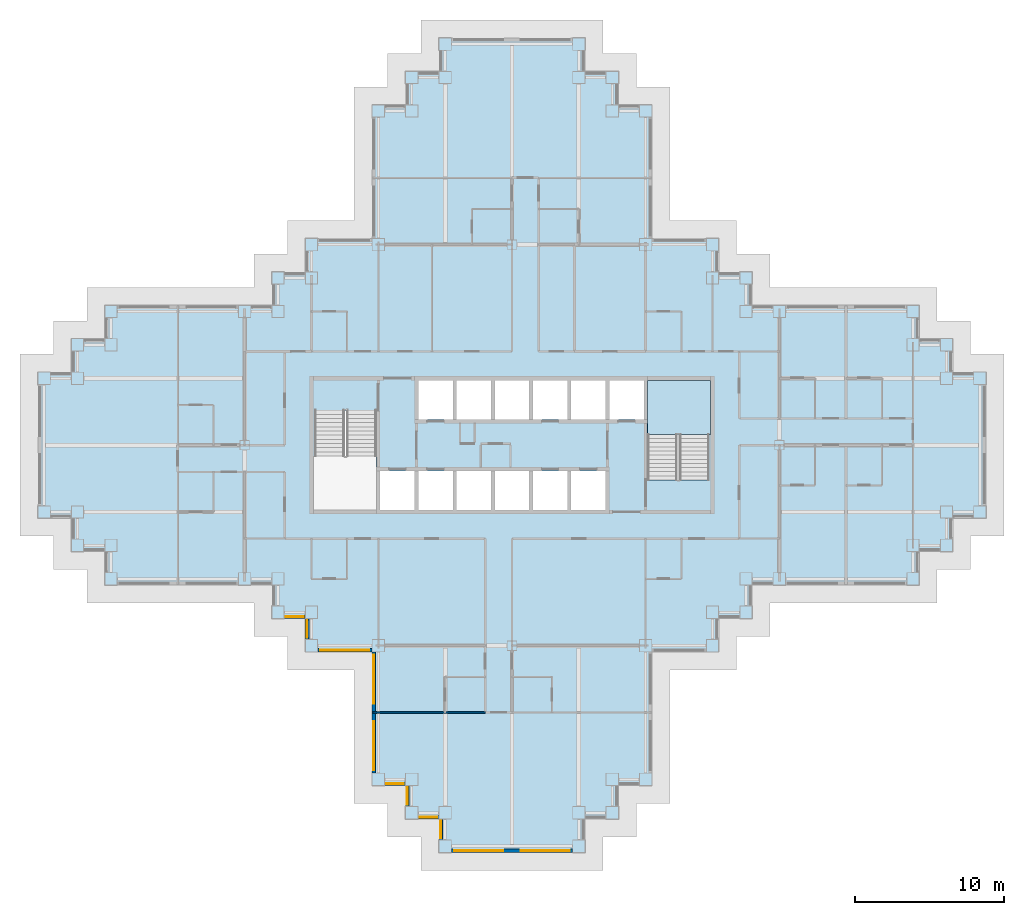
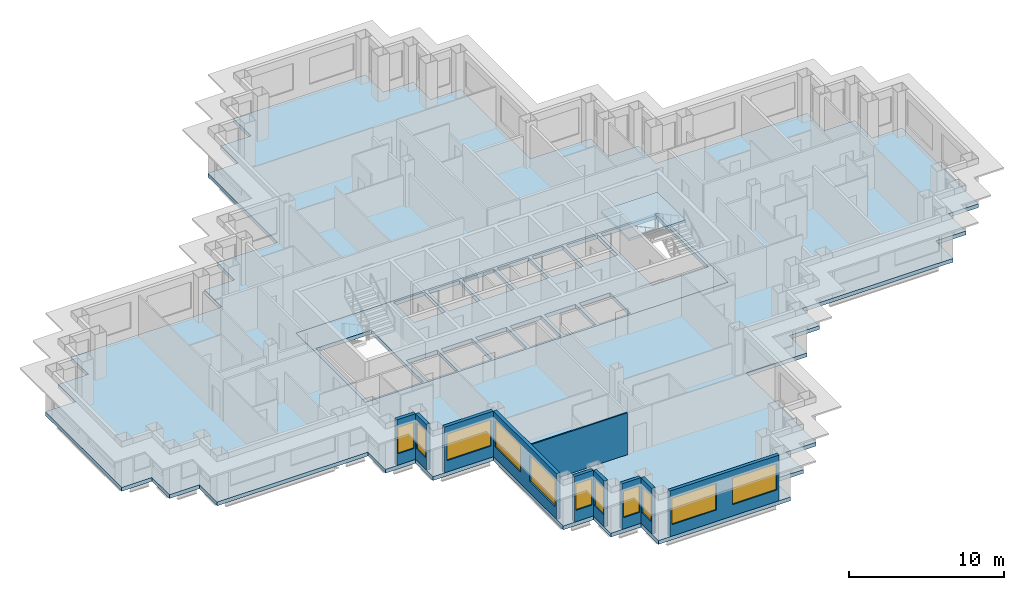
# One storey, part 3 of 15: 11 windows, 10 walls, 3 slabs, 11 openings, 1 element without a shape of its own.
"""IFC4 building model written with IfcOpenShell, lengths in metres."""

from ifc_helpers import new_model, si_unit, direction, frame, frame_2d, origin, place, context, subcontext, project, spatial, polyline, rectangle, outline, extrude, material, layer, layer_set, type_object, element, fill, aggregate, save


model = new_model("IFC4")

# Units and contexts
model_context = context("Model", 3, precision=1e-05, world=origin(), true_north=direction((0.0, 1.0)))
body_context = subcontext(model_context, "Body", "Model", "MODEL_VIEW")
ifc_project = project(units=[si_unit("LENGTHUNIT", "METRE"), si_unit("AREAUNIT", "SQUARE_METRE"), si_unit("VOLUMEUNIT", "CUBIC_METRE"), si_unit("PLANEANGLEUNIT", "RADIAN"), si_unit("MASSUNIT", "GRAM", prefix="KILO")], contexts=[model_context])

# Site, building, storey
site_placement = place(None, origin())
site = spatial("IfcSite", under=ifc_project, at=site_placement, CompositionType="ELEMENT")
building_placement = place(site_placement, origin())
building = spatial("IfcBuilding", under=site, at=building_placement, Name="Caravel Reach Hotel and Residences", CompositionType="ELEMENT")
storey_placement = place(building_placement, frame((0.0, 0.0, 122.39990234375)))
storey = spatial("IfcBuildingStorey", under=building, at=storey_placement, Name="L30", CompositionType="ELEMENT", Elevation=122.39990234375)

# Slab
ifc_material_1 = material(Name="Concrete C40", Category="concrete")
ifc_layer_1 = layer(ifc_material_1, 0.300048828125)
ifc_layer_set_1 = layer_set([ifc_layer_1], Name="Core floor slab 300 mm")
slab_type_1 = type_object("IfcSlabType", Name="Core floor slab 300 mm", PredefinedType="FLOOR", material=ifc_layer_set_1)
slab_1_placement = place(storey_placement, frame((0.0, 0.0, -0.2998046875)))
element("IfcSlab", 1, at=slab_1_placement, inside=storey, type_object=slab_type_1, Name="L30 core floor", PredefinedType="FLOOR", context=body_context, shape_type="SweptSolid", body=[
    extrude(outline(polyline([(18.0, 31.5), (45.0, 31.5), (45.0, 22.5), (18.0, 22.5), (18.0, 31.5)]), holes=[polyline([(22.625, 25.27490234375), (22.625, 22.64990234375), (24.9462890625, 22.64990234375), (24.9462890625, 25.27490234375), (22.625, 25.27490234375)]), polyline([(27.517822265625, 25.27490234375), (25.1962890625, 25.27490234375), (25.1962890625, 22.64990234375), (27.517822265625, 22.64990234375), (27.517822265625, 25.27490234375)]), polyline([(30.08935546875, 25.27490234375), (27.767822265625, 25.27490234375), (27.767822265625, 22.64990234375), (30.08935546875, 22.64990234375), (30.08935546875, 25.27490234375)]), polyline([(32.66064453125, 25.27490234375), (30.33935546875, 25.27490234375), (30.33935546875, 22.64990234375), (32.66064453125, 22.64990234375), (32.66064453125, 25.27490234375)]), polyline([(18.22509765625, 22.64990234375), (22.375, 22.64990234375), (22.375, 29.35009765625), (18.22509765625, 29.35009765625), (18.22509765625, 22.64990234375)]), polyline([(27.517822265625, 31.35009765625), (25.1962890625, 31.35009765625), (25.1962890625, 28.72509765625), (27.517822265625, 28.72509765625), (27.517822265625, 31.35009765625)]), polyline([(30.08935546875, 31.35009765625), (27.767822265625, 31.35009765625), (27.767822265625, 28.72509765625), (30.08935546875, 28.72509765625), (30.08935546875, 31.35009765625)]), polyline([(32.91064453125, 25.27490234375), (32.91064453125, 22.64990234375), (35.232177734375, 22.64990234375), (35.232177734375, 25.27490234375), (32.91064453125, 25.27490234375)]), polyline([(37.8037109375, 25.27490234375), (35.482177734375, 25.27490234375), (35.482177734375, 22.64990234375), (37.8037109375, 22.64990234375), (37.8037109375, 25.27490234375)]), polyline([(44.77490234375, 31.35009765625), (40.625, 31.35009765625), (40.625, 24.64990234375), (44.77490234375, 24.64990234375), (44.77490234375, 31.35009765625)]), polyline([(32.66064453125, 31.35009765625), (30.33935546875, 31.35009765625), (30.33935546875, 28.72509765625), (32.66064453125, 28.72509765625), (32.66064453125, 31.35009765625)]), polyline([(35.232177734375, 31.35009765625), (32.91064453125, 31.35009765625), (32.91064453125, 28.72509765625), (35.232177734375, 28.72509765625), (35.232177734375, 31.35009765625)]), polyline([(37.8037109375, 31.35009765625), (35.482177734375, 31.35009765625), (35.482177734375, 28.72509765625), (37.8037109375, 28.72509765625), (37.8037109375, 31.35009765625)]), polyline([(40.375, 31.35009765625), (38.0537109375, 31.35009765625), (38.0537109375, 28.72509765625), (40.375, 28.72509765625), (40.375, 31.35009765625)])]), origin(), (0.0, 0.0, 1.0), 0.2998046875),
])

# Stair, slab
ifc_material_2 = material(Name="Concrete C40", Category="concrete")
stair_type = type_object("IfcStairType", Name="Core stair", PredefinedType="HALF_TURN_STAIR", material=ifc_material_2)
stair_placement = place(storey_placement, origin())
stair = element("IfcStair", 2, at=stair_placement, inside=storey, type_object=stair_type, Name="L30 Exit stair B", PredefinedType="HALF_TURN_STAIR")
ifc_material_3 = material(Name="Concrete C40", Category="concrete")
ifc_layer_2 = layer(ifc_material_3, 0.199951171875)
ifc_layer_set_2 = layer_set([ifc_layer_2], Name="Core stair landing")
slab_type_2 = type_object("IfcSlabType", Name="Core stair landing", PredefinedType="LANDING", material=ifc_layer_set_2)
slab_2_placement = place(storey_placement, frame((0.0, 0.0, 1.60009765625)))
slab_2 = element("IfcSlab", 3, at=slab_2_placement, type_object=slab_type_2, Name="ST-B landing 1", PredefinedType="LANDING", context=body_context, shape_type="SweptSolid", body=[
    extrude(outline(polyline([(44.85009765625, 27.72998046875), (44.85009765625, 31.35009765625), (40.625, 31.35009765625), (40.625, 27.72998046875), (44.85009765625, 27.72998046875)])), origin(), (0.0, 0.0, 1.0), 0.199951171875),
])
aggregate(stair, [slab_2])

# Slab
ifc_material_4 = material(Name="Concrete C40 post-tensioned", Category="concrete")
ifc_layer_3 = layer(ifc_material_4, 0.300048828125)
ifc_layer_set_3 = layer_set([ifc_layer_3], Name="Floor slab 300")
slab_type_3 = type_object("IfcSlabType", Name="Floor slab 300", PredefinedType="FLOOR", material=ifc_layer_set_3)
slab_3_placement = place(storey_placement, frame((0.0, 0.0, -0.2998046875)))
element("IfcSlab", 4, at=slab_3_placement, inside=storey, type_object=slab_type_3, Name="S2 slab L30", PredefinedType="FLOOR", context=body_context, shape_type="SweptSolid", body=[
    extrude(outline(polyline([(17.574951171875, 13.074951171875), (17.574951171875, 15.324951171875), (15.324951171875, 15.324951171875), (15.324951171875, 17.574951171875), (4.074951171875, 17.574951171875), (4.074951171875, 19.824951171875), (1.824951171875, 19.824951171875), (1.824951171875, 22.074951171875), (-0.425048828125, 22.074951171875), (-0.425048828125, 31.925048828125), (1.824951171875, 31.925048828125), (1.824951171875, 34.175048828125), (4.074951171875, 34.175048828125), (4.074951171875, 36.425048828125), (15.324951171875, 36.425048828125), (15.324951171875, 38.675048828125), (17.574951171875, 38.675048828125), (17.574951171875, 40.925048828125), (22.074951171875, 40.925048828125), (22.074951171875, 49.925048828125), (24.324951171875, 49.925048828125), (24.324951171875, 52.175048828125), (26.574951171875, 52.175048828125), (26.574951171875, 54.425048828125), (36.425048828125, 54.425048828125), (36.425048828125, 52.175048828125), (38.675048828125, 52.175048828125), (38.675048828125, 49.925048828125), (40.925048828125, 49.925048828125), (40.925048828125, 40.925048828125), (45.425048828125, 40.925048828125), (45.425048828125, 38.675048828125), (47.675048828125, 38.675048828125), (47.675048828125, 36.425048828125), (58.925048828125, 36.425048828125), (58.925048828125, 34.175048828125), (61.175048828125, 34.175048828125), (61.175048828125, 31.925048828125), (63.425048828125, 31.925048828125), (63.425048828125, 22.074951171875), (61.175048828125, 22.074951171875), (61.175048828125, 19.824951171875), (58.925048828125, 19.824951171875), (58.925048828125, 17.574951171875), (47.675048828125, 17.574951171875), (47.675048828125, 15.324951171875), (45.425048828125, 15.324951171875), (45.425048828125, 13.074951171875), (40.925048828125, 13.074951171875), (40.925048828125, 4.074951171875), (38.675048828125, 4.074951171875), (38.675048828125, 1.824951171875), (36.425048828125, 1.824951171875), (36.425048828125, -0.425048828125), (26.574951171875, -0.425048828125), (26.574951171875, 1.824951171875), (24.324951171875, 1.824951171875), (24.324951171875, 4.074951171875), (22.074951171875, 4.074951171875), (22.074951171875, 13.074951171875), (17.574951171875, 13.074951171875)]), holes=[polyline([(45.0, 31.5), (18.0, 31.5), (18.0, 22.5), (45.0, 22.5), (45.0, 31.5)])]), origin(), (0.0, 0.0, 1.0), 0.2998046875),
])

# Wall, opening, window
ifc_material_5 = material(Name="Insulated rainscreen wall, aluminium cladding", Category="aluminium")
ifc_layer_4 = layer(ifc_material_5, 0.25)
ifc_layer_set_4 = layer_set([ifc_layer_4], Name="EW1 Tower rainscreen wall")
wall_type_1 = type_object("IfcWallType", Name="EW1 Tower rainscreen wall", PredefinedType="SOLIDWALL", material=ifc_layer_set_4)
wall_1_placement = place(storey_placement, frame((22.925048828125, 4.199951171875, 0.0), z_axis=(0.0, 0.0, 1.0), x_axis=(1.0, 0.0, 0.0)))
wall_1 = element("IfcWall", 5, at=wall_1_placement, inside=storey, type_object=wall_type_1, Name="External wall L30 S1.1", PredefinedType="SOLIDWALL", context=body_context, shape_type="SweptSolid", body=[
    extrude(rectangle(XDim=1.39990234375, YDim=0.25, at=frame_2d((0.699951171875, 0.0))), origin(), (0.0, 0.0, 1.0), 3.60009765625),
])
opening_1_placement = place(wall_1_placement, frame((0.10009765625, 0.0, 0.89990234375)))
opening_1 = element("IfcOpeningElement", 6, at=opening_1_placement, cuts=wall_1, Name="Opening WN9", PredefinedType="OPENING", context=body_context, shape_type="SweptSolid", body=[
    extrude(rectangle(XDim=1.199951171875, YDim=2.080078125, at=frame_2d((0.60009765625, 1.0400390625))), frame((0.0, 0.135009765625, 0.0), z_axis=(0.0, -1.0, 0.0), x_axis=(1.0, 0.0, 0.0)), (0.0, 0.0, 1.0), 0.27001953125),
])
ifc_material_6 = material(Name="Dark low-e glazing in black aluminium frame", Category="aluminium")
window_type_1 = type_object("IfcWindowType", Name="Hotel suite corner window 1200 x 2080", PartitioningType="SINGLE_PANEL", PredefinedType="WINDOW", material=ifc_material_6)
window_1_placement = place(opening_1_placement, origin())
window_1 = element("IfcWindow", 7, at=window_1_placement, inside=storey, type_object=window_type_1, Name="Window L30 S1.1.1", OverallHeight=2.080078125, OverallWidth=1.199951171875, PartitioningType="SINGLE_PANEL", PredefinedType="WINDOW", context=body_context, shape_type="SweptSolid", body=[
    extrude(rectangle(XDim=1.199951171875, YDim=2.080078125, at=frame_2d((0.60009765625, 1.0400390625))), frame((0.0, 0.030029296875, 0.0), z_axis=(0.0, -1.0, 0.0), x_axis=(1.0, 0.0, 0.0)), (0.0, 0.0, 1.0), 0.06005859375),
])
fill(opening_1, window_1)

wall_2_placement = place(storey_placement, frame((24.449951171875, 4.074951171875, 0.0), z_axis=(0.0, 0.0, 1.0), x_axis=(0.0, -1.0, 0.0)))
wall_2 = element("IfcWall", 8, at=wall_2_placement, inside=storey, type_object=wall_type_1, Name="External wall L30 W2.1", PredefinedType="SOLIDWALL", context=body_context, shape_type="SweptSolid", body=[
    extrude(rectangle(XDim=1.39990234375, YDim=0.25, at=frame_2d((0.699951171875, 0.0))), origin(), (0.0, 0.0, 1.0), 3.60009765625),
])
opening_2_placement = place(wall_2_placement, frame((0.10009765625, 0.0, 0.89990234375)))
opening_2 = element("IfcOpeningElement", 9, at=opening_2_placement, cuts=wall_2, Name="Opening WN9", PredefinedType="OPENING", context=body_context, shape_type="SweptSolid", body=[
    extrude(rectangle(XDim=1.199951171875, YDim=2.080078125, at=frame_2d((0.60009765625, 1.0400390625))), frame((0.0, 0.135009765625, 0.0), z_axis=(0.0, -1.0, 0.0), x_axis=(1.0, 0.0, 0.0)), (0.0, 0.0, 1.0), 0.27001953125),
])
window_2_placement = place(opening_2_placement, origin())
window_2 = element("IfcWindow", 10, at=window_2_placement, inside=storey, type_object=window_type_1, Name="Window L30 W2.1.1", OverallHeight=2.080078125, OverallWidth=1.199951171875, PartitioningType="SINGLE_PANEL", PredefinedType="WINDOW", context=body_context, shape_type="SweptSolid", body=[
    extrude(rectangle(XDim=1.199951171875, YDim=2.080078125, at=frame_2d((0.60009765625, 1.0400390625))), frame((0.0, 0.030029296875, 0.0), z_axis=(0.0, -1.0, 0.0), x_axis=(1.0, 0.0, 0.0)), (0.0, 0.0, 1.0), 0.06005859375),
])
fill(opening_2, window_2)

wall_3_placement = place(storey_placement, frame((25.175048828125, 1.949951171875, 0.0), z_axis=(0.0, 0.0, 1.0), x_axis=(1.0, 0.0, 0.0)))
wall_3 = element("IfcWall", 11, at=wall_3_placement, inside=storey, type_object=wall_type_1, Name="External wall L30 S3.1", PredefinedType="SOLIDWALL", context=body_context, shape_type="SweptSolid", body=[
    extrude(rectangle(XDim=1.39990234375, YDim=0.25, at=frame_2d((0.699951171875, 0.0))), origin(), (0.0, 0.0, 1.0), 3.60009765625),
])
opening_3_placement = place(wall_3_placement, frame((0.10009765625, 0.0, 0.89990234375)))
opening_3 = element("IfcOpeningElement", 12, at=opening_3_placement, cuts=wall_3, Name="Opening WN9", PredefinedType="OPENING", context=body_context, shape_type="SweptSolid", body=[
    extrude(rectangle(XDim=1.199951171875, YDim=2.080078125, at=frame_2d((0.60009765625, 1.0400390625))), frame((0.0, 0.135009765625, 0.0), z_axis=(0.0, -1.0, 0.0), x_axis=(1.0, 0.0, 0.0)), (0.0, 0.0, 1.0), 0.27001953125),
])
window_3_placement = place(opening_3_placement, origin())
window_3 = element("IfcWindow", 13, at=window_3_placement, inside=storey, type_object=window_type_1, Name="Window L30 S3.1.1", OverallHeight=2.080078125, OverallWidth=1.199951171875, PartitioningType="SINGLE_PANEL", PredefinedType="WINDOW", context=body_context, shape_type="SweptSolid", body=[
    extrude(rectangle(XDim=1.199951171875, YDim=2.080078125, at=frame_2d((0.60009765625, 1.0400390625))), frame((0.0, 0.030029296875, 0.0), z_axis=(0.0, -1.0, 0.0), x_axis=(1.0, 0.0, 0.0)), (0.0, 0.0, 1.0), 0.06005859375),
])
fill(opening_3, window_3)

wall_4_placement = place(storey_placement, frame((26.699951171875, 1.824951171875, 0.0), z_axis=(0.0, 0.0, 1.0), x_axis=(0.0, -1.0, 0.0)))
wall_4 = element("IfcWall", 14, at=wall_4_placement, inside=storey, type_object=wall_type_1, Name="External wall L30 W4.1", PredefinedType="SOLIDWALL", context=body_context, shape_type="SweptSolid", body=[
    extrude(rectangle(XDim=1.39990234375, YDim=0.25, at=frame_2d((0.699951171875, 0.0))), origin(), (0.0, 0.0, 1.0), 3.60009765625),
])
opening_4_placement = place(wall_4_placement, frame((0.10009765625, 0.0, 0.89990234375)))
opening_4 = element("IfcOpeningElement", 15, at=opening_4_placement, cuts=wall_4, Name="Opening WN9", PredefinedType="OPENING", context=body_context, shape_type="SweptSolid", body=[
    extrude(rectangle(XDim=1.199951171875, YDim=2.080078125, at=frame_2d((0.60009765625, 1.0400390625))), frame((0.0, 0.135009765625, 0.0), z_axis=(0.0, -1.0, 0.0), x_axis=(1.0, 0.0, 0.0)), (0.0, 0.0, 1.0), 0.27001953125),
])
window_4_placement = place(opening_4_placement, origin())
window_4 = element("IfcWindow", 16, at=window_4_placement, inside=storey, type_object=window_type_1, Name="Window L30 W4.1.1", OverallHeight=2.080078125, OverallWidth=1.199951171875, PartitioningType="SINGLE_PANEL", PredefinedType="WINDOW", context=body_context, shape_type="SweptSolid", body=[
    extrude(rectangle(XDim=1.199951171875, YDim=2.080078125, at=frame_2d((0.60009765625, 1.0400390625))), frame((0.0, 0.030029296875, 0.0), z_axis=(0.0, -1.0, 0.0), x_axis=(1.0, 0.0, 0.0)), (0.0, 0.0, 1.0), 0.06005859375),
])
fill(opening_4, window_4)

# Wall, openings, windows
wall_5_placement = place(storey_placement, frame((27.425048828125, -0.300048828125, 0.0), z_axis=(0.0, 0.0, 1.0), x_axis=(1.0, 0.0, 0.0)))
wall_5 = element("IfcWall", 17, at=wall_5_placement, inside=storey, type_object=wall_type_1, Name="External wall L30 S5.1", PredefinedType="SOLIDWALL", context=body_context, shape_type="SweptSolid", body=[
    extrude(rectangle(XDim=8.14990234375, YDim=0.25, at=frame_2d((4.074951171875, 0.0))), origin(), (0.0, 0.0, 1.0), 3.60009765625),
])
opening_5_placement = place(wall_5_placement, frame((0.175048828125, 0.0, 0.89990234375)))
opening_5 = element("IfcOpeningElement", 18, at=opening_5_placement, cuts=wall_5, Name="Opening WN4", PredefinedType="OPENING", context=body_context, shape_type="SweptSolid", body=[
    extrude(rectangle(XDim=3.300048828125, YDim=2.080078125, at=frame_2d((1.64990234375, 1.0400390625))), frame((0.0, 0.135009765625, 0.0), z_axis=(0.0, -1.0, 0.0), x_axis=(1.0, 0.0, 0.0)), (0.0, 0.0, 1.0), 0.27001953125),
])
opening_6_placement = place(wall_5_placement, frame((4.675048828125, 0.0, 0.89990234375)))
opening_6 = element("IfcOpeningElement", 19, at=opening_6_placement, cuts=wall_5, Name="Opening WN4", PredefinedType="OPENING", context=body_context, shape_type="SweptSolid", body=[
    extrude(rectangle(XDim=3.300048828125, YDim=2.080078125, at=frame_2d((1.64990234375, 1.0400390625))), frame((0.0, 0.135009765625, 0.0), z_axis=(0.0, -1.0, 0.0), x_axis=(1.0, 0.0, 0.0)), (0.0, 0.0, 1.0), 0.27001953125),
])
ifc_material_7 = material(Name="Dark low-e glazing in black aluminium frame", Category="aluminium")
window_type_2 = type_object("IfcWindowType", Name="Hotel guest room window 3300 x 2080", PartitioningType="SINGLE_PANEL", PredefinedType="WINDOW", material=ifc_material_7)
window_5_placement = place(opening_5_placement, origin())
window_5 = element("IfcWindow", 20, at=window_5_placement, inside=storey, type_object=window_type_2, Name="Window L30 S5.1.1", OverallHeight=2.080078125, OverallWidth=3.300048828125, PartitioningType="SINGLE_PANEL", PredefinedType="WINDOW", context=body_context, shape_type="SweptSolid", body=[
    extrude(rectangle(XDim=3.300048828125, YDim=2.080078125, at=frame_2d((1.64990234375, 1.0400390625))), frame((0.0, 0.030029296875, 0.0), z_axis=(0.0, -1.0, 0.0), x_axis=(1.0, 0.0, 0.0)), (0.0, 0.0, 1.0), 0.06005859375),
])
fill(opening_5, window_5)
window_6_placement = place(opening_6_placement, origin())
window_6 = element("IfcWindow", 21, at=window_6_placement, inside=storey, type_object=window_type_2, Name="Window L30 S5.1.2", OverallHeight=2.080078125, OverallWidth=3.300048828125, PartitioningType="SINGLE_PANEL", PredefinedType="WINDOW", context=body_context, shape_type="SweptSolid", body=[
    extrude(rectangle(XDim=3.300048828125, YDim=2.080078125, at=frame_2d((1.64990234375, 1.0400390625))), frame((0.0, 0.030029296875, 0.0), z_axis=(0.0, -1.0, 0.0), x_axis=(1.0, 0.0, 0.0)), (0.0, 0.0, 1.0), 0.06005859375),
])
fill(opening_6, window_6)

# Wall, opening, window
wall_6_placement = place(storey_placement, frame((16.175048828125, 15.449951171875, 0.0), z_axis=(0.0, 0.0, 1.0), x_axis=(1.0, 0.0, 0.0)))
wall_6 = element("IfcWall", 22, at=wall_6_placement, inside=storey, type_object=wall_type_1, Name="External wall L30 S57.1", PredefinedType="SOLIDWALL", context=body_context, shape_type="SweptSolid", body=[
    extrude(rectangle(XDim=1.39990234375, YDim=0.25, at=frame_2d((0.699951171875, 0.0))), origin(), (0.0, 0.0, 1.0), 3.60009765625),
])
opening_7_placement = place(wall_6_placement, frame((0.10009765625, 0.0, 0.89990234375)))
opening_7 = element("IfcOpeningElement", 23, at=opening_7_placement, cuts=wall_6, Name="Opening WN9", PredefinedType="OPENING", context=body_context, shape_type="SweptSolid", body=[
    extrude(rectangle(XDim=1.199951171875, YDim=2.080078125, at=frame_2d((0.60009765625, 1.0400390625))), frame((0.0, 0.135009765625, 0.0), z_axis=(0.0, -1.0, 0.0), x_axis=(1.0, 0.0, 0.0)), (0.0, 0.0, 1.0), 0.27001953125),
])
window_7_placement = place(opening_7_placement, origin())
window_7 = element("IfcWindow", 24, at=window_7_placement, inside=storey, type_object=window_type_1, Name="Window L30 S57.1.1", OverallHeight=2.080078125, OverallWidth=1.199951171875, PartitioningType="SINGLE_PANEL", PredefinedType="WINDOW", context=body_context, shape_type="SweptSolid", body=[
    extrude(rectangle(XDim=1.199951171875, YDim=2.080078125, at=frame_2d((0.60009765625, 1.0400390625))), frame((0.0, 0.030029296875, 0.0), z_axis=(0.0, -1.0, 0.0), x_axis=(1.0, 0.0, 0.0)), (0.0, 0.0, 1.0), 0.06005859375),
])
fill(opening_7, window_7)

wall_7_placement = place(storey_placement, frame((17.699951171875, 15.324951171875, 0.0), z_axis=(0.0, 0.0, 1.0), x_axis=(0.0, -1.0, 0.0)))
wall_7 = element("IfcWall", 25, at=wall_7_placement, inside=storey, type_object=wall_type_1, Name="External wall L30 W58.1", PredefinedType="SOLIDWALL", context=body_context, shape_type="SweptSolid", body=[
    extrude(rectangle(XDim=1.39990234375, YDim=0.25, at=frame_2d((0.699951171875, 0.0))), origin(), (0.0, 0.0, 1.0), 3.60009765625),
])
opening_8_placement = place(wall_7_placement, frame((0.10009765625, 0.0, 0.89990234375)))
opening_8 = element("IfcOpeningElement", 26, at=opening_8_placement, cuts=wall_7, Name="Opening WN9", PredefinedType="OPENING", context=body_context, shape_type="SweptSolid", body=[
    extrude(rectangle(XDim=1.199951171875, YDim=2.080078125, at=frame_2d((0.60009765625, 1.0400390625))), frame((0.0, 0.135009765625, 0.0), z_axis=(0.0, -1.0, 0.0), x_axis=(1.0, 0.0, 0.0)), (0.0, 0.0, 1.0), 0.27001953125),
])
window_8_placement = place(opening_8_placement, origin())
window_8 = element("IfcWindow", 27, at=window_8_placement, inside=storey, type_object=window_type_1, Name="Window L30 W58.1.1", OverallHeight=2.080078125, OverallWidth=1.199951171875, PartitioningType="SINGLE_PANEL", PredefinedType="WINDOW", context=body_context, shape_type="SweptSolid", body=[
    extrude(rectangle(XDim=1.199951171875, YDim=2.080078125, at=frame_2d((0.60009765625, 1.0400390625))), frame((0.0, 0.030029296875, 0.0), z_axis=(0.0, -1.0, 0.0), x_axis=(1.0, 0.0, 0.0)), (0.0, 0.0, 1.0), 0.06005859375),
])
fill(opening_8, window_8)

wall_8_placement = place(storey_placement, frame((18.425048828125, 13.199951171875, 0.0), z_axis=(0.0, 0.0, 1.0), x_axis=(1.0, 0.0, 0.0)))
wall_8 = element("IfcWall", 28, at=wall_8_placement, inside=storey, type_object=wall_type_1, Name="External wall L30 S59.1", PredefinedType="SOLIDWALL", context=body_context, shape_type="SweptSolid", body=[
    extrude(rectangle(XDim=3.64990234375, YDim=0.25, at=frame_2d((1.824951171875, 0.0))), origin(), (0.0, 0.0, 1.0), 3.60009765625),
])
opening_9_placement = place(wall_8_placement, frame((0.175048828125, 0.0, 0.89990234375)))
opening_9 = element("IfcOpeningElement", 29, at=opening_9_placement, cuts=wall_8, Name="Opening WN4", PredefinedType="OPENING", context=body_context, shape_type="SweptSolid", body=[
    extrude(rectangle(XDim=3.300048828125, YDim=2.080078125, at=frame_2d((1.64990234375, 1.0400390625))), frame((0.0, 0.135009765625, 0.0), z_axis=(0.0, -1.0, 0.0), x_axis=(1.0, 0.0, 0.0)), (0.0, 0.0, 1.0), 0.27001953125),
])
window_9_placement = place(opening_9_placement, origin())
window_9 = element("IfcWindow", 30, at=window_9_placement, inside=storey, type_object=window_type_2, Name="Window L30 S59.1.1", OverallHeight=2.080078125, OverallWidth=3.300048828125, PartitioningType="SINGLE_PANEL", PredefinedType="WINDOW", context=body_context, shape_type="SweptSolid", body=[
    extrude(rectangle(XDim=3.300048828125, YDim=2.080078125, at=frame_2d((1.64990234375, 1.0400390625))), frame((0.0, 0.030029296875, 0.0), z_axis=(0.0, -1.0, 0.0), x_axis=(1.0, 0.0, 0.0)), (0.0, 0.0, 1.0), 0.06005859375),
])
fill(opening_9, window_9)

# Wall, openings, windows
wall_9_placement = place(storey_placement, frame((22.199951171875, 13.074951171875, 0.0), z_axis=(0.0, 0.0, 1.0), x_axis=(0.0, -1.0, 0.0)))
wall_9 = element("IfcWall", 31, at=wall_9_placement, inside=storey, type_object=wall_type_1, Name="External wall L30 W60.1", PredefinedType="SOLIDWALL", context=body_context, shape_type="SweptSolid", body=[
    extrude(rectangle(XDim=8.14990234375, YDim=0.25, at=frame_2d((4.074951171875, 0.0))), origin(), (0.0, 0.0, 1.0), 3.60009765625),
])
opening_10_placement = place(wall_9_placement, frame((0.175048828125, 0.0, 0.89990234375)))
opening_10 = element("IfcOpeningElement", 32, at=opening_10_placement, cuts=wall_9, Name="Opening WN4", PredefinedType="OPENING", context=body_context, shape_type="SweptSolid", body=[
    extrude(rectangle(XDim=3.300048828125, YDim=2.080078125, at=frame_2d((1.64990234375, 1.0400390625))), frame((0.0, 0.135009765625, 0.0), z_axis=(0.0, -1.0, 0.0), x_axis=(1.0, 0.0, 0.0)), (0.0, 0.0, 1.0), 0.27001953125),
])
opening_11_placement = place(wall_9_placement, frame((4.675048828125, 0.0, 0.89990234375)))
opening_11 = element("IfcOpeningElement", 33, at=opening_11_placement, cuts=wall_9, Name="Opening WN4", PredefinedType="OPENING", context=body_context, shape_type="SweptSolid", body=[
    extrude(rectangle(XDim=3.300048828125, YDim=2.080078125, at=frame_2d((1.64990234375, 1.0400390625))), frame((0.0, 0.135009765625, 0.0), z_axis=(0.0, -1.0, 0.0), x_axis=(1.0, 0.0, 0.0)), (0.0, 0.0, 1.0), 0.27001953125),
])
window_10_placement = place(opening_10_placement, origin())
window_10 = element("IfcWindow", 34, at=window_10_placement, inside=storey, type_object=window_type_2, Name="Window L30 W60.1.1", OverallHeight=2.080078125, OverallWidth=3.300048828125, PartitioningType="SINGLE_PANEL", PredefinedType="WINDOW", context=body_context, shape_type="SweptSolid", body=[
    extrude(rectangle(XDim=3.300048828125, YDim=2.080078125, at=frame_2d((1.64990234375, 1.0400390625))), frame((0.0, 0.030029296875, 0.0), z_axis=(0.0, -1.0, 0.0), x_axis=(1.0, 0.0, 0.0)), (0.0, 0.0, 1.0), 0.06005859375),
])
fill(opening_10, window_10)
window_11_placement = place(opening_11_placement, origin())
window_11 = element("IfcWindow", 35, at=window_11_placement, inside=storey, type_object=window_type_2, Name="Window L30 W60.1.2", OverallHeight=2.080078125, OverallWidth=3.300048828125, PartitioningType="SINGLE_PANEL", PredefinedType="WINDOW", context=body_context, shape_type="SweptSolid", body=[
    extrude(rectangle(XDim=3.300048828125, YDim=2.080078125, at=frame_2d((1.64990234375, 1.0400390625))), frame((0.0, 0.030029296875, 0.0), z_axis=(0.0, -1.0, 0.0), x_axis=(1.0, 0.0, 0.0)), (0.0, 0.0, 1.0), 0.06005859375),
])
fill(opening_11, window_11)

# Wall
ifc_material_8 = material(Name="Gypsum board on steel stud", Category="steel")
ifc_layer_5 = layer(ifc_material_8, 0.10009765625)
ifc_layer_set_5 = layer_set([ifc_layer_5], Name="Partition 100 mm")
wall_type_2 = type_object("IfcWallType", Name="Partition 100 mm", PredefinedType="PARTITIONING", material=ifc_layer_set_5)
wall_10_placement = place(storey_placement, frame((22.135009765625, 9.0, 0.0), z_axis=(0.0, 0.0, 1.0), x_axis=(1.0, 0.0, 0.0)))
element("IfcWall", 36, at=wall_10_placement, inside=storey, type_object=wall_type_2, Name="L30 wall w048", PredefinedType="PARTITIONING", context=body_context, shape_type="SweptSolid", body=[
    extrude(rectangle(XDim=7.56494140625, YDim=0.10009765625, at=frame_2d((3.782470703125, 0.0))), origin(), (0.0, 0.0, 1.0), 3.300048828125),
])

save(model, "model.ifc")
